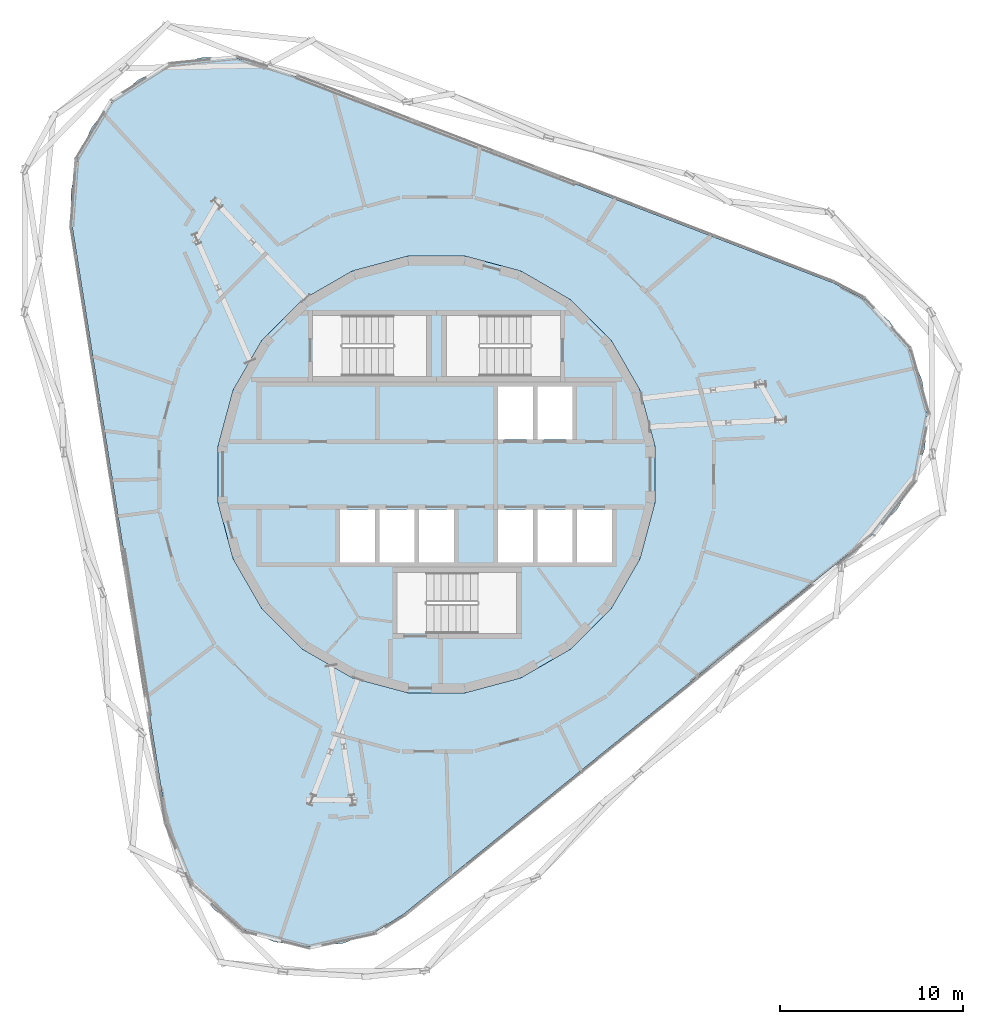
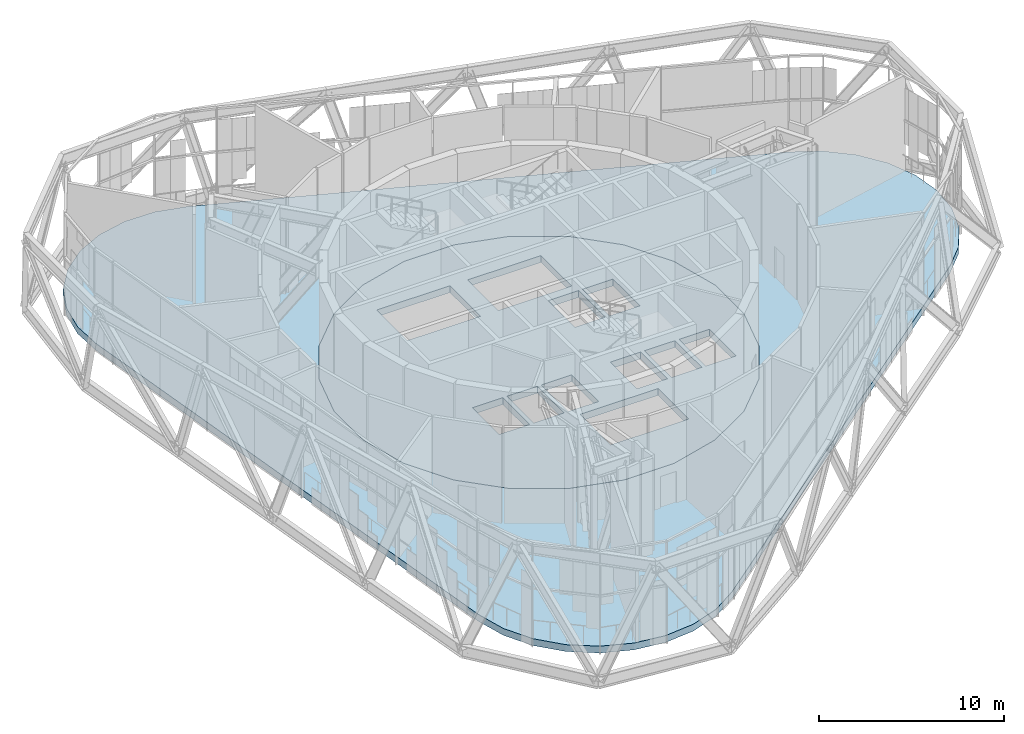
# One storey, part 12 of 25: 2 slabs.
"""IFC4 building model written with IfcOpenShell, lengths in metres."""

from ifc_helpers import new_model, si_unit, direction, frame, origin, place, context, subcontext, project, spatial, polyline, outline, extrude, material, layer, layer_set, type_object, element, save


model = new_model("IFC4")

# Units and contexts
model_context = context("Model", 3, precision=1e-05, world=origin(), true_north=direction((0.0, 1.0)))
body_context = subcontext(model_context, "Body", "Model", "MODEL_VIEW")
ifc_project = project(units=[si_unit("LENGTHUNIT", "METRE"), si_unit("AREAUNIT", "SQUARE_METRE"), si_unit("VOLUMEUNIT", "CUBIC_METRE"), si_unit("PLANEANGLEUNIT", "RADIAN"), si_unit("MASSUNIT", "GRAM", prefix="KILO")], contexts=[model_context])

# Site, building, storey
site_placement = place(None, origin())
site = spatial("IfcSite", under=ifc_project, at=site_placement, CompositionType="ELEMENT")
building_placement = place(site_placement, origin())
building = spatial("IfcBuilding", under=site, at=building_placement, Name="Spindle Arch Residences", CompositionType="ELEMENT")
storey_placement = place(building_placement, frame((0.0, 0.0, 291.39990234375)))
storey = spatial("IfcBuildingStorey", under=building, at=storey_placement, Name="L75", CompositionType="ELEMENT", Elevation=291.39990234375)

# Slabs
ifc_material_1 = material(Name="Concrete C40/50", Category="concrete")
ifc_layer_1 = layer(ifc_material_1, 0.449951171875)
ifc_layer_set_1 = layer_set([ifc_layer_1], Name="Compartment floor slab 450")
slab_type_1 = type_object("IfcSlabType", Name="Compartment floor slab 450", PredefinedType="FLOOR", material=ifc_layer_set_1)
slab_1_placement = place(storey_placement, frame((0.0, 0.0, -0.449951171875)))
element("IfcSlab", 1, at=slab_1_placement, inside=storey, type_object=slab_type_1, Name="Floor slab L75", PredefinedType="FLOOR", context=body_context, shape_type="SweptSolid", body=[
    extrude(outline(polyline([(-1.77197265625, -23.94873046875), (-3.341552734375, -24.9423828125), (-5.097900390625, -25.547119140625), (-6.9462890625, -25.73046875), (-8.787109375, -25.482666015625), (-10.521240234375, -24.81689453125), (-12.054931640625, -23.769287109375), (-13.305908203125, -22.396240234375), (-14.20654296875, -20.771484375), (-14.7080078125, -18.983154296875), (-19.854248046875, 13.509033203125), (-19.929931640625, 15.364990234375), (-19.575439453125, 17.188232421875), (-18.81005859375, 18.880859375), (-17.675048828125, 20.35107421875), (-16.231689453125, 21.52001953125), (-14.557373046875, 22.32470703125), (-12.74267578125, 22.721435546875), (-10.885498046875, 22.68896484375), (-9.0859375, 22.22900390625), (21.626220703125, 10.439697265625), (23.271484375, 9.577392578125), (24.67333984375, 8.358642578125), (25.75634765625, 6.849609375), (26.462158203125, 5.131591796875), (26.752685546875, 3.296875), (26.6123046875, 1.444580078125), (26.048583984375, -0.3251953125), (25.092041015625, -1.917236328125), (23.7939453125, -3.24609375), (11.010986328125, -13.597412109375), (-1.77197265625, -23.94873046875)]), holes=[polyline([(4.59228515625, -11.086669921875), (7.30517578125, -9.520263671875), (9.520263671875, -7.30517578125), (11.086669921875, -4.59228515625), (11.897216796875, -1.56640625), (11.897216796875, 1.56640625), (11.086669921875, 4.59228515625), (9.520263671875, 7.30517578125), (7.30517578125, 9.520263671875), (4.59228515625, 11.086669921875), (1.56640625, 11.897216796875), (-1.56640625, 11.897216796875), (-4.59228515625, 11.086669921875), (-7.30517578125, 9.520263671875), (-9.520263671875, 7.30517578125), (-11.086669921875, 4.59228515625), (-11.897216796875, 1.56640625), (-11.897216796875, -1.56640625), (-11.086669921875, -4.59228515625), (-9.520263671875, -7.30517578125), (-7.30517578125, -9.520263671875), (-4.59228515625, -11.086669921875), (-1.56640625, -11.897216796875), (1.56640625, -11.897216796875), (4.59228515625, -11.086669921875)])]), origin(), (0.0, 0.0, 1.0), 0.449951171875),
])
ifc_material_2 = material(Name="Concrete C50/60", Category="concrete")
ifc_layer_2 = layer(ifc_material_2, 0.449951171875)
ifc_layer_set_2 = layer_set([ifc_layer_2], Name="Core floor slab 450")
slab_type_2 = type_object("IfcSlabType", Name="Core floor slab 450", PredefinedType="FLOOR", material=ifc_layer_set_2)
slab_2_placement = place(storey_placement, frame((0.0, 0.0, -0.449951171875)))
element("IfcSlab", 2, at=slab_2_placement, inside=storey, type_object=slab_type_2, Name="Core floor L75", PredefinedType="FLOOR", context=body_context, shape_type="SweptSolid", body=[
    extrude(outline(polyline([(1.56640625, -11.897216796875), (4.59228515625, -11.086669921875), (7.30517578125, -9.520263671875), (9.520263671875, -7.30517578125), (11.086669921875, -4.59228515625), (11.897216796875, -1.56640625), (11.897216796875, 1.56640625), (11.086669921875, 4.59228515625), (9.520263671875, 7.30517578125), (7.30517578125, 9.520263671875), (4.59228515625, 11.086669921875), (1.56640625, 11.897216796875), (-1.56640625, 11.897216796875), (-4.59228515625, 11.086669921875), (-7.30517578125, 9.520263671875), (-9.520263671875, 7.30517578125), (-11.086669921875, 4.59228515625), (-11.897216796875, 1.56640625), (-11.897216796875, -1.56640625), (-11.086669921875, -4.59228515625), (-9.520263671875, -7.30517578125), (-7.30517578125, -9.520263671875), (-4.59228515625, -11.086669921875), (-1.56640625, -11.897216796875), (1.56640625, -11.897216796875)]), holes=[polyline([(3.35009765625, 1.89990234375), (5.25, 1.89990234375), (5.25, 4.800048828125), (3.35009765625, 4.800048828125), (3.35009765625, 1.89990234375)]), polyline([(5.5, 1.89990234375), (7.39990234375, 1.89990234375), (7.39990234375, 4.800048828125), (5.5, 4.800048828125), (5.5, 1.89990234375)]), polyline([(-5.25, -4.800048828125), (-3.35009765625, -4.800048828125), (-3.35009765625, -1.89990234375), (-5.25, -1.89990234375), (-5.25, -4.800048828125)]), polyline([(-3.10009765625, -4.800048828125), (-1.199951171875, -4.800048828125), (-1.199951171875, -1.89990234375), (-3.10009765625, -1.89990234375), (-3.10009765625, -4.800048828125)]), polyline([(-0.949951171875, -4.800048828125), (0.949951171875, -4.800048828125), (0.949951171875, -1.89990234375), (-0.949951171875, -1.89990234375), (-0.949951171875, -4.800048828125)]), polyline([(3.35009765625, -4.800048828125), (5.25, -4.800048828125), (5.25, -1.89990234375), (3.35009765625, -1.89990234375), (3.35009765625, -4.800048828125)]), polyline([(5.5, -4.800048828125), (7.39990234375, -4.800048828125), (7.39990234375, -1.89990234375), (5.5, -1.89990234375), (5.5, -4.800048828125)]), polyline([(7.64990234375, -4.800048828125), (9.550048828125, -4.800048828125), (9.550048828125, -1.89990234375), (7.64990234375, -1.89990234375), (7.64990234375, -4.800048828125)]), polyline([(5.1298828125, 8.669921875), (0.550048828125, 8.669921875), (0.550048828125, 5.35009765625), (5.1298828125, 5.35009765625), (5.1298828125, 8.669921875)]), polyline([(-5.1298828125, 5.35009765625), (-0.550048828125, 5.35009765625), (-0.550048828125, 8.669921875), (-5.1298828125, 8.669921875), (-5.1298828125, 5.35009765625)]), polyline([(-0.530029296875, -8.669921875), (4.35009765625, -8.669921875), (4.35009765625, -5.35009765625), (-0.530029296875, -5.35009765625), (-0.530029296875, -8.669921875)])]), origin(), (0.0, 0.0, 1.0), 0.449951171875),
])

save(model, "model.ifc")
